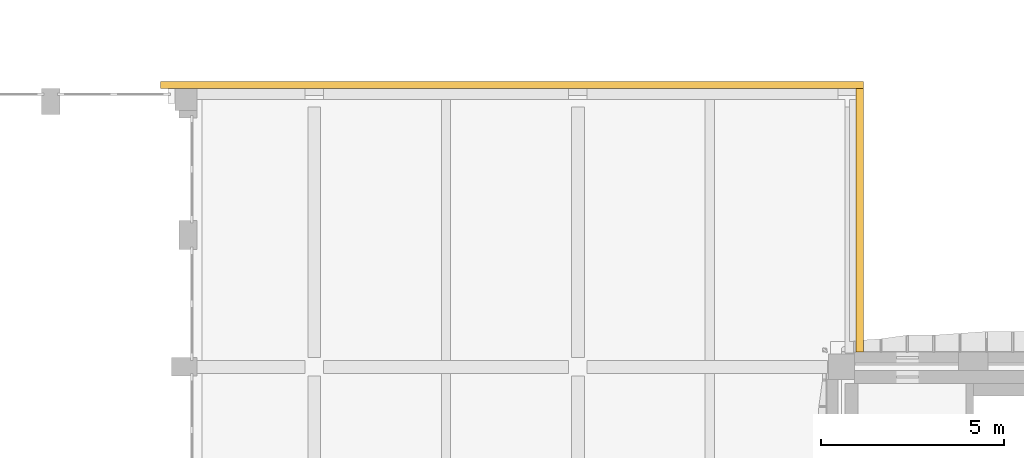
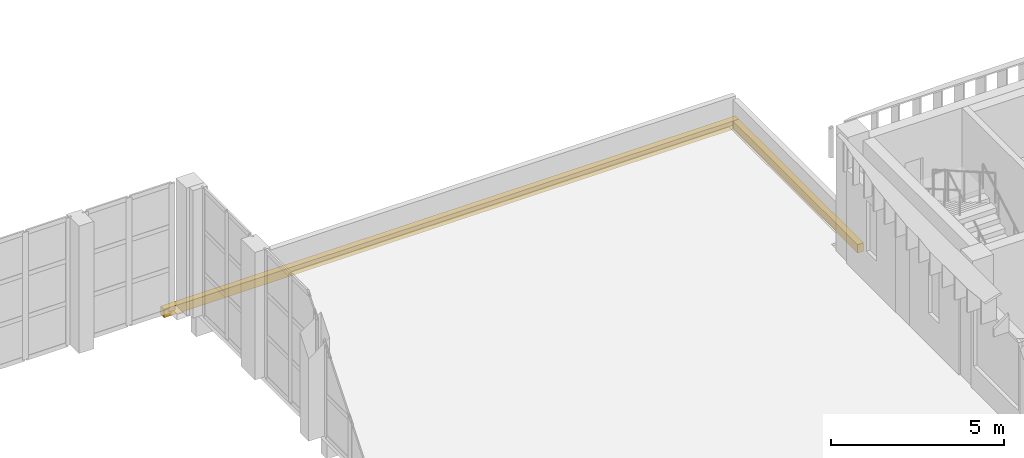
# One storey, part 29 of 44: 2 coverings.
"""IFC4 building model written with IfcOpenShell, lengths in metres."""

from ifc_helpers import new_model, si_unit, direction, frame, origin, origin_2d, place, context, subcontext, project, spatial, rectangle, extrude, material, type_object, element, save


model = new_model("IFC4")

# Units and contexts
model_context = context("Model", 3, precision=1e-05, world=origin(), true_north=direction((0.0, 1.0)))
body_context = subcontext(model_context, "Body", "Model", "MODEL_VIEW")
ifc_project = project(units=[si_unit("LENGTHUNIT", "METRE"), si_unit("AREAUNIT", "SQUARE_METRE"), si_unit("VOLUMEUNIT", "CUBIC_METRE"), si_unit("PLANEANGLEUNIT", "RADIAN"), si_unit("MASSUNIT", "GRAM", prefix="KILO")], contexts=[model_context])

# Site, building, storey
site_placement = place(None, origin())
site = spatial("IfcSite", under=ifc_project, at=site_placement, CompositionType="ELEMENT")
building_placement = place(site_placement, origin())
building = spatial("IfcBuilding", under=site, at=building_placement, Name="Ussher Court Research Institute", CompositionType="ELEMENT")
storey_placement = place(building_placement, frame((0.0, 0.0, 18.89990234375)))
storey = spatial("IfcBuildingStorey", under=building, at=storey_placement, Name="L04", CompositionType="ELEMENT", Elevation=18.89990234375)

# Coverings
ifc_material = material(Name="Limestone cornice", Category="masonry")
covering_type = type_object("IfcCoveringType", Name="Cornice band 200x300", PredefinedType="CLADDING", material=ifc_material)
covering_1_placement = place(storey_placement, frame((82.699951171875, 36.800048828125, -0.2998046875), z_axis=(0.0, 0.0, 1.0), x_axis=(0.0, 1.0, 0.0)))
element("IfcCovering", 1, at=covering_1_placement, inside=storey, type_object=covering_type, Name="Cornice CC3", PredefinedType="CLADDING", context=body_context, shape_type="SweptSolid", body=[
    extrude(rectangle(XDim=7.199951171875, YDim=0.199951171875, at=origin_2d()), origin(), (0.0, 0.0, 1.0), 0.300048828125),
])
covering_2_placement = place(storey_placement, frame((73.199951171875, 40.5, -0.2998046875), z_axis=(0.0, 0.0, 1.0), x_axis=(-1.0, 0.0, 0.0)))
element("IfcCovering", 2, at=covering_2_placement, inside=storey, type_object=covering_type, Name="Cornice CC3", PredefinedType="CLADDING", context=body_context, shape_type="SweptSolid", body=[
    extrude(rectangle(XDim=19.199951171875, YDim=0.199951171875, at=origin_2d()), origin(), (0.0, 0.0, 1.0), 0.300048828125),
])

save(model, "model.ifc")
